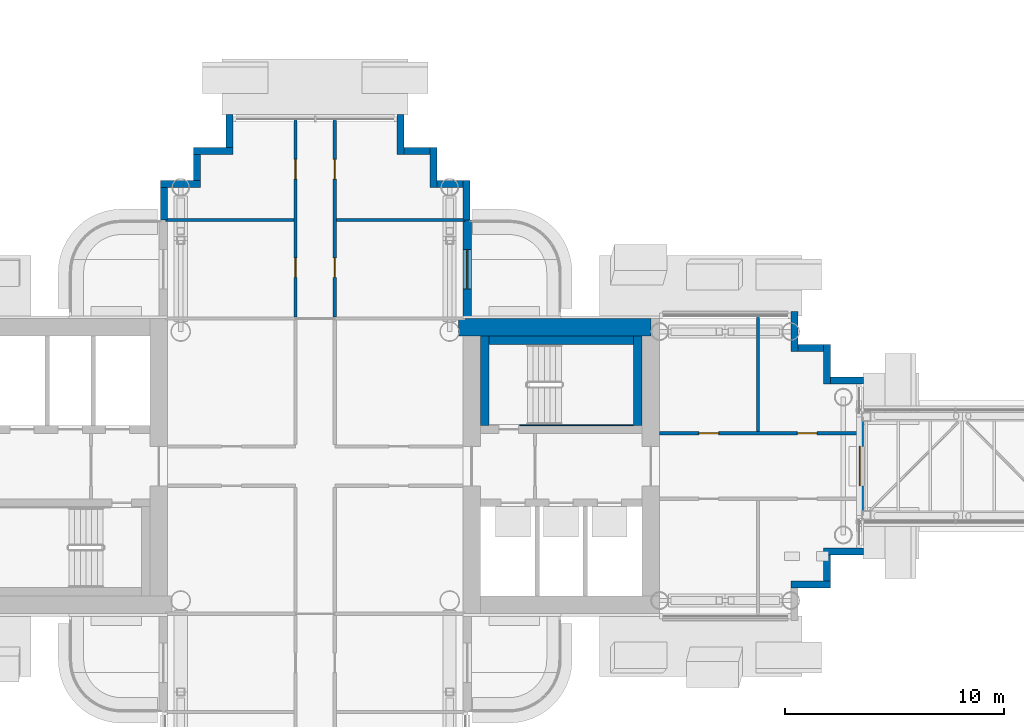
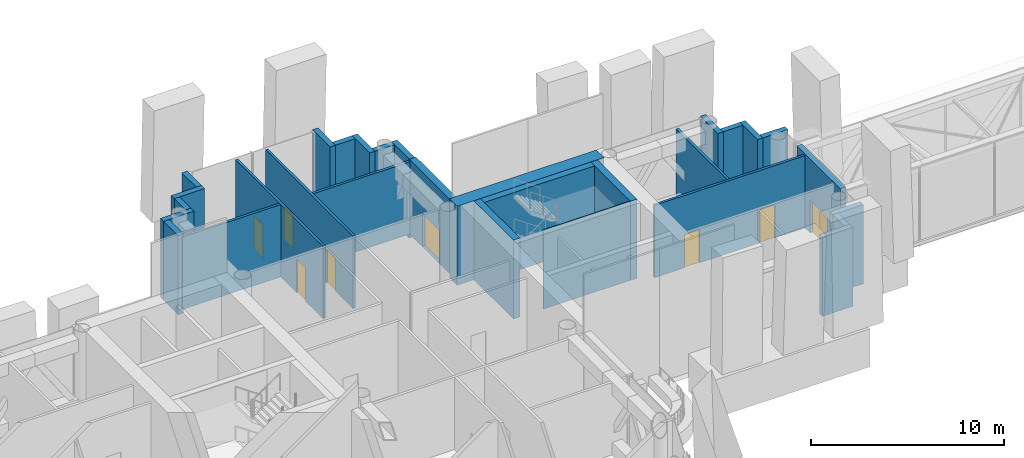
# One storey, part 14 of 34: 30 walls, 8 doors, 8 openings.
"""IFC4 building model written with IfcOpenShell, lengths in metres."""

import ifcopenshell
import ifcopenshell.guid

model = None  # the IFC model being written
_history = None  # IfcOwnerHistory: only IFC2X3 demands one
_inside = {}  # id of a spatial element -> (the spatial element, [elements in it])
_under = {}  # id of a project, library or spatial element -> (it, [spatial elements below it])
_declared = {}  # id of a project -> (the project, [libraries it declares])
_typed = {}  # id of a type object -> (the type object, [elements of that type])
_made_of = {}  # id of a material, layer set ... -> (it, [elements and type objects made of it])


def new_model(schema):
    """Start an empty IFC model of exactly this schema.

    Asked for "IFC4X3", IfcOpenShell would pick the latest addendum, in which some entities
    have other attributes; the version numbers below select the first issue.
    IFC2X3 requires an IfcOwnerHistory on every rooted entity: one is made here for all.
    """
    global model, _history
    if schema == "IFC4X3":
        model = ifcopenshell.file(schema_version=(4, 3, 0, 0))
    else:
        model = ifcopenshell.file(schema=schema)
    _inside.clear()
    _under.clear()
    _declared.clear()
    _typed.clear()
    _made_of.clear()
    _history = None
    if model.schema == "IFC2X3":
        org = make("IfcOrganization", Name="unknown")
        user = make(
            "IfcPersonAndOrganization",
            ThePerson=make("IfcPerson", FamilyName="unknown"),
            TheOrganization=org,
        )
        app = make(
            "IfcApplication",
            ApplicationDeveloper=org,
            Version="unknown",
            ApplicationFullName="unknown",
            ApplicationIdentifier="unknown",
        )
        _history = make(
            "IfcOwnerHistory",
            OwningUser=user,
            OwningApplication=app,
            ChangeAction="ADDED",
            CreationDate=0,
        )
    return model


def make(cls, **values):
    """One entity of the class cls with the attributes given. An attribute that is None is left unset."""
    return model.create_entity(
        cls, **{name: value for name, value in values.items() if value is not None}
    )


def rooted(cls, **values):
    """An entity with a GlobalId (a new one), such as an element, a storey or a relation."""
    return make(cls, GlobalId=ifcopenshell.guid.new(), OwnerHistory=_history, **values)


def si_unit(unit_type, name, prefix=None):
    """IfcSIUnit, for example si_unit("LENGTHUNIT", "METRE", prefix="MILLI")."""
    return make("IfcSIUnit", UnitType=unit_type, Prefix=prefix, Name=name)


def assignment(units):
    """IfcUnitAssignment: the units of a project."""
    return None if units is None else make("IfcUnitAssignment", Units=units)


def point(xyz):
    """IfcCartesianPoint."""
    return None if xyz is None else make("IfcCartesianPoint", Coordinates=xyz)


def direction(xyz):
    """IfcDirection."""
    return None if xyz is None else make("IfcDirection", DirectionRatios=xyz)


def frame(location, z_axis=None, x_axis=None):
    """IfcAxis2Placement3D, a coordinate frame: its origin and axes. An axis left out is left unset."""
    return make(
        "IfcAxis2Placement3D",
        Location=point(location),
        Axis=direction(z_axis),
        RefDirection=direction(x_axis),
    )


def frame_2d(location, x_axis=None):
    """IfcAxis2Placement2D, a coordinate frame in the plane: its origin and x axis."""
    return make(
        "IfcAxis2Placement2D", Location=point(location), RefDirection=direction(x_axis)
    )


def origin():
    """The frame at (0, 0, 0) with its axes left unset."""
    return frame((0.0, 0.0, 0.0))


def place(relative_to, where):
    """IfcLocalPlacement: puts the frame where relative to a parent placement (None: the world)."""
    return make(
        "IfcLocalPlacement", PlacementRelTo=relative_to, RelativePlacement=where
    )


def context(
    kind, dimensions, precision=None, world=None, true_north=None, identifier=None
):
    """IfcGeometricRepresentationContext, for example the 3D "Model" context."""
    return make(
        "IfcGeometricRepresentationContext",
        ContextIdentifier=identifier,
        ContextType=kind,
        CoordinateSpaceDimension=dimensions,
        Precision=precision,
        WorldCoordinateSystem=world,
        TrueNorth=true_north,
    )


def subcontext(parent, identifier, kind, view, scale=None):
    """IfcGeometricRepresentationSubContext, for example "Body" below "Model"."""
    return make(
        "IfcGeometricRepresentationSubContext",
        ContextIdentifier=identifier,
        ContextType=kind,
        ParentContext=parent,
        TargetScale=scale,
        TargetView=view,
    )


def project(units=None, contexts=None):
    """IfcProject with its units and contexts."""
    return rooted(
        "IfcProject",
        Name="project",
        RepresentationContexts=contexts,
        UnitsInContext=assignment(units),
    )


def spatial(cls, under=None, at=None, **own):
    """A site, building, storey or space (cls), placed at a placement, below another one or the project."""
    s = rooted(cls, ObjectPlacement=at, **own)
    if under is not None:
        _under.setdefault(under.id(), (under, []))[1].append(s)
    return s


def profile(cls, at=None, kind="AREA", **sizes):
    """A parametric profile (cls). Its sizes go by their IFC names, for example OverallWidth=200.0."""
    return make(cls, ProfileType=kind, Position=at, **sizes)


def rectangle(**sizes):
    """IfcRectangleProfileDef."""
    return profile("IfcRectangleProfileDef", **sizes)


def extrude(swept, where, along, depth):
    """IfcExtrudedAreaSolid: the profile swept, set in the frame where, extruded along a direction by depth."""
    return make(
        "IfcExtrudedAreaSolid",
        SweptArea=swept,
        Position=where,
        ExtrudedDirection=direction(along),
        Depth=depth,
    )


def shape(context_of_items, identifier, shape_type, items):
    """IfcShapeRepresentation: the items that make up one representation, for example the "Body"."""
    return make(
        "IfcShapeRepresentation",
        ContextOfItems=context_of_items,
        RepresentationIdentifier=identifier,
        RepresentationType=shape_type,
        Items=items,
    )


def material(Name=None, Category=None):
    """IfcMaterial."""
    return make("IfcMaterial", Name=Name, Category=Category)


def layer(
    of_material, thickness, ventilated=None, Name=None, Category=None, Priority=None
):
    """IfcMaterialLayer: one layer of a wall or slab, of a material (None: an air gap)."""
    return make(
        "IfcMaterialLayer",
        Material=of_material,
        LayerThickness=thickness,
        IsVentilated=ventilated,
        Name=Name,
        Category=Category,
        Priority=Priority,
    )


def layer_set(layers, Name=None):
    """IfcMaterialLayerSet."""
    return make("IfcMaterialLayerSet", MaterialLayers=layers, LayerSetName=Name)


def made_of(thing, what):
    """Note that an element or type object is made of a material, layer set ...; save() writes the relation."""
    if what is not None:
        _made_of.setdefault(what.id(), (what, []))[1].append(thing)
    return thing


def type_object(cls, material=None, **own):
    """A type object (cls), such as IfcWallType, which elements share."""
    return made_of(rooted(cls, **own), material)


def element(
    cls,
    number,
    at=None,
    inside=None,
    cuts=None,
    type_object=None,
    material=None,
    context=None,
    identifier="Body",
    shape_type=None,
    held_by="IfcProductDefinitionShape",
    body=None,
    shapes=None,
    **own,
):
    """One element of the class cls, such as IfcWall. Its Tag is "e" and its number.

    at: its placement. inside: the storey or other place that contains it. cuts: it is an
    opening in that element (IfcRelVoidsElement). A single representation is given by context,
    identifier, shape_type and body (its items); several are given by shapes. held_by: the class
    of the entity that holds the representations. save() writes the other relations.
    """
    e = rooted(cls, Tag="e%d" % number, ObjectPlacement=at, **own)
    if body is not None:
        shapes = [shape(context, identifier, shape_type, body)]
    if shapes is not None:
        e.Representation = make(held_by, Representations=shapes)
    if inside is not None:
        _inside.setdefault(inside.id(), (inside, []))[1].append(e)
    if cuts is not None:
        rooted(
            "IfcRelVoidsElement", RelatingBuildingElement=cuts, RelatedOpeningElement=e
        )
    if type_object is not None:
        _typed.setdefault(type_object.id(), (type_object, []))[1].append(e)
    return made_of(e, material)


def fill(opening, filler):
    """IfcRelFillsElement: the door or window that sits in an opening."""
    return rooted(
        "IfcRelFillsElement",
        RelatingOpeningElement=opening,
        RelatedBuildingElement=filler,
    )


def aggregate(whole, parts):
    """IfcRelAggregates: a whole, such as a stair, and the parts it consists of."""
    return rooted("IfcRelAggregates", RelatingObject=whole, RelatedObjects=parts)


def save(model, path):
    """Write the relations noted so far, then the file.

    IfcRelAggregates (storeys below a building ...), IfcRelContainedInSpatialStructure (elements
    in a storey), IfcRelDefinesByType, IfcRelAssociatesMaterial and IfcRelDeclares: one each for
    every whole, place, type object, material and project.
    """
    for whole, parts in _under.values():
        aggregate(whole, parts)
    for where, things in _inside.values():
        rooted(
            "IfcRelContainedInSpatialStructure",
            RelatedElements=things,
            RelatingStructure=where,
        )
    for kind, things in _typed.values():
        rooted("IfcRelDefinesByType", RelatedObjects=things, RelatingType=kind)
    for what, things in _made_of.values():
        rooted("IfcRelAssociatesMaterial", RelatedObjects=things, RelatingMaterial=what)
    for by, libraries in _declared.values():
        rooted("IfcRelDeclares", RelatingContext=by, RelatedDefinitions=libraries)
    model.write(path)


model = new_model("IFC4")

# Units and contexts
model_context = context("Model", 3, precision=1e-05, world=origin(), true_north=direction((0.0, 1.0)))
body_context = subcontext(model_context, "Body", "Model", "MODEL_VIEW")
ifc_project = project(units=[si_unit("LENGTHUNIT", "METRE"), si_unit("AREAUNIT", "SQUARE_METRE"), si_unit("VOLUMEUNIT", "CUBIC_METRE"), si_unit("PLANEANGLEUNIT", "RADIAN"), si_unit("MASSUNIT", "GRAM", prefix="KILO")], contexts=[model_context])

# Site, building, storey
site_placement = place(None, origin())
site = spatial("IfcSite", under=ifc_project, at=site_placement, CompositionType="ELEMENT")
building_placement = place(site_placement, origin())
building = spatial("IfcBuilding", under=site, at=building_placement, Name="Ipe Terrace Towers", CompositionType="ELEMENT")
storey_placement = place(building_placement, frame((0.0, 0.0, 128.699951171875)))
storey = spatial("IfcBuildingStorey", under=building, at=storey_placement, Name="L35", CompositionType="ELEMENT", Elevation=128.699951171875)

# Wall, opening, door
ifc_material_1 = material(Name="Concrete C40/50 with buff precast cladding", Category="concrete")
ifc_layer_1 = layer(ifc_material_1, 0.39990234375)
ifc_layer_set_1 = layer_set([ifc_layer_1], Name="BALCONY BAY WALL 400")
wall_type_1 = type_object("IfcWallType", Name="BALCONY BAY WALL 400", PredefinedType="STANDARD", material=ifc_layer_set_1)
wall_1_placement = place(storey_placement, frame((-29.050048828125, 6.75, -0.02001953125), z_axis=(0.0, 0.0, 1.0), x_axis=(0.0, 1.0, 0.0)))
wall_1 = element("IfcWall", 1, at=wall_1_placement, inside=storey, type_object=wall_type_1, Name="T1-W-L35-32a wall", PredefinedType="STANDARD", context=body_context, shape_type="SweptSolid", body=[
    extrude(rectangle(XDim=4.5, YDim=0.39990234375, at=frame_2d((2.25, 0.0))), origin(), (0.0, 0.0, 1.0), 4.719970703125),
])
opening_1_placement = place(wall_1_placement, frame((1.35009765625, 0.0, 0.02001953125)))
opening_1 = element("IfcOpeningElement", 2, at=opening_1_placement, cuts=wall_1, Name="Opening T1-D-L35-32", PredefinedType="OPENING", context=body_context, shape_type="SweptSolid", body=[
    extrude(rectangle(XDim=1.800048828125, YDim=2.10009765625, at=frame_2d((0.89990234375, 1.050048828125))), frame((0.0, 0.2099609375, 0.0), z_axis=(0.0, -1.0, 0.0), x_axis=(1.0, 0.0, 0.0)), (0.0, 0.0, 1.0), 0.419921875),
])
ifc_material_2 = material(Name="Aluminium alloy 6063-T6 framed glazed door", Category="aluminium")
door_type_1 = type_object("IfcDoorType", Name="BALCONY DOOR 1800 x 2100 LEFT", OperationType="SINGLE_SWING_LEFT", PredefinedType="DOOR", material=ifc_material_2)
door_1_placement = place(opening_1_placement, origin())
door_1 = element("IfcDoor", 3, at=door_1_placement, inside=storey, type_object=door_type_1, Name="DB1 door", OperationType="SINGLE_SWING_LEFT", OverallHeight=2.10009765625, OverallWidth=1.800048828125, PredefinedType="DOOR", context=body_context, shape_type="SweptSolid", body=[
    extrude(rectangle(XDim=1.800048828125, YDim=2.10009765625, at=frame_2d((0.89990234375, 1.050048828125))), frame((0.0, 0.02490234375, 0.0), z_axis=(0.0, -1.0, 0.0), x_axis=(1.0, 0.0, 0.0)), (0.0, 0.0, 1.0), 0.050048828125),
])
fill(opening_1, door_1)

# Walls
ifc_material_3 = material(Name="Concrete C40/50 with buff precast cladding", Category="concrete")
ifc_layer_2 = layer(ifc_material_3, 0.320068359375)
ifc_layer_set_2 = layer_set([ifc_layer_2], Name="BUFF CLADDING WALL 320")
wall_type_2 = type_object("IfcWallType", Name="BUFF CLADDING WALL 320", PredefinedType="STANDARD", material=ifc_layer_set_2)
wall_2_placement = place(storey_placement, frame((-14.25, -5.409912109375, -0.300048828125), z_axis=(0.0, 0.0, 1.0), x_axis=(1.0, 0.0, 0.0)))
element("IfcWall", 4, at=wall_2_placement, inside=storey, type_object=wall_type_2, Name="T1-W-L35-22a wall", PredefinedType="STANDARD", context=body_context, shape_type="SweptSolid", body=[
    extrude(rectangle(XDim=1.820068359375, YDim=0.320068359375, at=frame_2d((0.91015625, 0.0))), origin(), (0.0, 0.0, 1.0), 5.0),
])
wall_3_placement = place(storey_placement, frame((-12.590087890625, -5.25, -0.300048828125), z_axis=(0.0, 0.0, 1.0), x_axis=(0.0, 1.0, 0.0)))
element("IfcWall", 5, at=wall_3_placement, inside=storey, type_object=wall_type_2, Name="T1-W-L35-23a wall", PredefinedType="STANDARD", context=body_context, shape_type="SweptSolid", body=[
    extrude(rectangle(XDim=1.179931640625, YDim=0.320068359375, at=frame_2d((0.58984375, 0.0))), origin(), (0.0, 0.0, 1.0), 5.0),
])
wall_4_placement = place(storey_placement, frame((-12.75, -3.909912109375, -0.300048828125), z_axis=(0.0, 0.0, 1.0), x_axis=(1.0, 0.0, 0.0)))
element("IfcWall", 6, at=wall_4_placement, inside=storey, type_object=wall_type_2, Name="T1-W-L35-24a wall", PredefinedType="STANDARD", context=body_context, shape_type="SweptSolid", body=[
    extrude(rectangle(XDim=1.820068359375, YDim=0.320068359375, at=frame_2d((0.91015625, 0.0))), origin(), (0.0, 0.0, 1.0), 5.0),
])

# Wall, opening, door
wall_5_placement = place(storey_placement, frame((-11.090087890625, -2.25, 0.0), z_axis=(0.0, 0.0, 1.0), x_axis=(0.0, 1.0, 0.0)))
wall_5 = element("IfcWall", 7, at=wall_5_placement, inside=storey, type_object=wall_type_2, Name="T1-W-L35-25b wall", PredefinedType="STANDARD", context=body_context, shape_type="SweptSolid", body=[
    extrude(rectangle(XDim=4.5, YDim=0.320068359375, at=frame_2d((2.25, 0.0))), origin(), (0.0, 0.0, 1.0), 4.699951171875),
])
opening_2_placement = place(wall_5_placement, frame((1.35009765625, 0.0, 0.0)))
opening_2 = element("IfcOpeningElement", 8, at=opening_2_placement, cuts=wall_5, Name="Opening T1-D-L35-25", PredefinedType="OPENING", context=body_context, shape_type="SweptSolid", body=[
    extrude(rectangle(XDim=1.800048828125, YDim=2.10009765625, at=frame_2d((0.89990234375, 1.050048828125))), frame((0.0, 0.169921875, 0.0), z_axis=(0.0, -1.0, 0.0), x_axis=(1.0, 0.0, 0.0)), (0.0, 0.0, 1.0), 0.340087890625),
])
ifc_material_4 = material(Name="Steel S235 fire door", Category="steel")
door_type_2 = type_object("IfcDoorType", Name="BRIDGE FIRE DOOR 1800 x 2100", OperationType="DOUBLE_DOOR_SINGLE_SWING", PredefinedType="DOOR", material=ifc_material_4)
door_2_placement = place(opening_2_placement, origin())
door_2 = element("IfcDoor", 9, at=door_2_placement, inside=storey, type_object=door_type_2, Name="DF1 door", OperationType="DOUBLE_DOOR_SINGLE_SWING", OverallHeight=2.10009765625, OverallWidth=1.800048828125, PredefinedType="DOOR", context=body_context, shape_type="SweptSolid", body=[
    extrude(rectangle(XDim=1.800048828125, YDim=2.10009765625, at=frame_2d((0.89990234375, 1.050048828125))), frame((0.0, 0.02490234375, 0.0), z_axis=(0.0, -1.0, 0.0), x_axis=(1.0, 0.0, 0.0)), (0.0, 0.0, 1.0), 0.050048828125),
])
fill(opening_2, door_2)

# Walls
wall_6_placement = place(storey_placement, frame((-10.929931640625, 3.909912109375, -0.300048828125), z_axis=(0.0, 0.0, 1.0), x_axis=(-1.0, 0.0, 0.0)))
element("IfcWall", 10, at=wall_6_placement, inside=storey, type_object=wall_type_2, Name="T1-W-L35-26a wall", PredefinedType="STANDARD", context=body_context, shape_type="SweptSolid", body=[
    extrude(rectangle(XDim=1.5, YDim=0.320068359375, at=frame_2d((0.75, 0.0))), origin(), (0.0, 0.0, 1.0), 5.0),
])
wall_7_placement = place(storey_placement, frame((-12.590087890625, 3.75, -0.300048828125), z_axis=(0.0, 0.0, 1.0), x_axis=(0.0, 1.0, 0.0)))
element("IfcWall", 11, at=wall_7_placement, inside=storey, type_object=wall_type_2, Name="T1-W-L35-27a wall", PredefinedType="STANDARD", context=body_context, shape_type="SweptSolid", body=[
    extrude(rectangle(XDim=1.820068359375, YDim=0.320068359375, at=frame_2d((0.91015625, 0.0))), origin(), (0.0, 0.0, 1.0), 5.0),
])
wall_8_placement = place(storey_placement, frame((-12.75, 5.409912109375, -0.300048828125), z_axis=(0.0, 0.0, 1.0), x_axis=(-1.0, 0.0, 0.0)))
element("IfcWall", 12, at=wall_8_placement, inside=storey, type_object=wall_type_2, Name="T1-W-L35-28a wall", PredefinedType="STANDARD", context=body_context, shape_type="SweptSolid", body=[
    extrude(rectangle(XDim=1.179931640625, YDim=0.320068359375, at=frame_2d((0.58984375, 0.0))), origin(), (0.0, 0.0, 1.0), 5.0),
])
for number, where, z_axis, x_axis, name in (
    (13, (-14.090087890625, 5.25, -0.300048828125), (0.0, 0.0, 1.0), (0.0, 1.0, 0.0), "T1-W-L35-29a wall"),
    (14, (-29.090087890625, 11.25, -0.300048828125), (0.0, 0.0, 1.0), (0.0, 1.0, 0.0), "T1-W-L35-33a wall"),
):
    element("IfcWall", number, at=place(storey_placement, frame(where, z_axis=z_axis, x_axis=x_axis)), inside=storey, type_object=wall_type_2, Name=name, PredefinedType="STANDARD", context=body_context, shape_type="SweptSolid", body=[
        extrude(rectangle(XDim=1.820068359375, YDim=0.320068359375, at=frame_2d((0.91015625, 0.0))), origin(), (0.0, 0.0, 1.0), 5.0),
    ])
wall_9_placement = place(storey_placement, frame((-29.25, 12.909912109375, -0.300048828125), z_axis=(0.0, 0.0, 1.0), x_axis=(-1.0, 0.0, 0.0)))
element("IfcWall", 15, at=wall_9_placement, inside=storey, type_object=wall_type_2, Name="T1-W-L35-34a wall", PredefinedType="STANDARD", context=body_context, shape_type="SweptSolid", body=[
    extrude(rectangle(XDim=1.179931640625, YDim=0.320068359375, at=frame_2d((0.58984375, 0.0))), origin(), (0.0, 0.0, 1.0), 5.0),
])
wall_10_placement = place(storey_placement, frame((-30.590087890625, 12.75, -0.300048828125), z_axis=(0.0, 0.0, 1.0), x_axis=(0.0, 1.0, 0.0)))
element("IfcWall", 16, at=wall_10_placement, inside=storey, type_object=wall_type_2, Name="T1-W-L35-35a wall", PredefinedType="STANDARD", context=body_context, shape_type="SweptSolid", body=[
    extrude(rectangle(XDim=1.820068359375, YDim=0.320068359375, at=frame_2d((0.91015625, 0.0))), origin(), (0.0, 0.0, 1.0), 5.0),
])
wall_11_placement = place(storey_placement, frame((-30.75, 14.409912109375, -0.300048828125), z_axis=(0.0, 0.0, 1.0), x_axis=(-1.0, 0.0, 0.0)))
element("IfcWall", 17, at=wall_11_placement, inside=storey, type_object=wall_type_2, Name="T1-W-L35-36a wall", PredefinedType="STANDARD", context=body_context, shape_type="SweptSolid", body=[
    extrude(rectangle(XDim=1.179931640625, YDim=0.320068359375, at=frame_2d((0.58984375, 0.0))), origin(), (0.0, 0.0, 1.0), 5.0),
])
wall_12_placement = place(storey_placement, frame((-32.090087890625, 14.25, -0.300048828125), z_axis=(0.0, 0.0, 1.0), x_axis=(0.0, 1.0, 0.0)))
element("IfcWall", 18, at=wall_12_placement, inside=storey, type_object=wall_type_2, Name="T1-W-L35-37a wall", PredefinedType="STANDARD", context=body_context, shape_type="SweptSolid", body=[
    extrude(rectangle(XDim=1.820068359375, YDim=0.320068359375, at=frame_2d((0.91015625, 0.0))), origin(), (0.0, 0.0, 1.0), 5.0),
])
wall_13_placement = place(storey_placement, frame((-39.909912109375, 16.070068359375, -0.300048828125), z_axis=(0.0, 0.0, 1.0), x_axis=(0.0, -1.0, 0.0)))
element("IfcWall", 19, at=wall_13_placement, inside=storey, type_object=wall_type_2, Name="T1-W-L35-39a wall", PredefinedType="STANDARD", context=body_context, shape_type="SweptSolid", body=[
    extrude(rectangle(XDim=1.5, YDim=0.320068359375, at=frame_2d((0.75, 0.0))), origin(), (0.0, 0.0, 1.0), 5.0),
])
wall_14_placement = place(storey_placement, frame((-39.75, 14.409912109375, -0.300048828125), z_axis=(0.0, 0.0, 1.0), x_axis=(-1.0, 0.0, 0.0)))
element("IfcWall", 20, at=wall_14_placement, inside=storey, type_object=wall_type_2, Name="T1-W-L35-40a wall", PredefinedType="STANDARD", context=body_context, shape_type="SweptSolid", body=[
    extrude(rectangle(XDim=1.820068359375, YDim=0.320068359375, at=frame_2d((0.91015625, 0.0))), origin(), (0.0, 0.0, 1.0), 5.0),
])
wall_15_placement = place(storey_placement, frame((-41.409912109375, 14.25, -0.300048828125), z_axis=(0.0, 0.0, 1.0), x_axis=(0.0, -1.0, 0.0)))
element("IfcWall", 21, at=wall_15_placement, inside=storey, type_object=wall_type_2, Name="T1-W-L35-41a wall", PredefinedType="STANDARD", context=body_context, shape_type="SweptSolid", body=[
    extrude(rectangle(XDim=1.179931640625, YDim=0.320068359375, at=frame_2d((0.58984375, 0.0))), origin(), (0.0, 0.0, 1.0), 5.0),
])
wall_16_placement = place(storey_placement, frame((-41.25, 12.909912109375, -0.300048828125), z_axis=(0.0, 0.0, 1.0), x_axis=(-1.0, 0.0, 0.0)))
element("IfcWall", 22, at=wall_16_placement, inside=storey, type_object=wall_type_2, Name="T1-W-L35-42a wall", PredefinedType="STANDARD", context=body_context, shape_type="SweptSolid", body=[
    extrude(rectangle(XDim=1.820068359375, YDim=0.320068359375, at=frame_2d((0.91015625, 0.0))), origin(), (0.0, 0.0, 1.0), 5.0),
])
wall_17_placement = place(storey_placement, frame((-42.909912109375, 12.75, -0.300048828125), z_axis=(0.0, 0.0, 1.0), x_axis=(0.0, -1.0, 0.0)))
element("IfcWall", 23, at=wall_17_placement, inside=storey, type_object=wall_type_2, Name="T1-W-L35-43a wall", PredefinedType="STANDARD", context=body_context, shape_type="SweptSolid", body=[
    extrude(rectangle(XDim=1.5, YDim=0.320068359375, at=frame_2d((0.75, 0.0))), origin(), (0.0, 0.0, 1.0), 5.0),
])

# Wall, openings, doors
ifc_material_5 = material(Name="Gypsum board partition", Category="plasterboard")
ifc_layer_3 = layer(ifc_material_5, 0.14990234375)
ifc_layer_set_3 = layer_set([ifc_layer_3], Name="Gypsum board partition 150 mm")
wall_type_3 = type_object("IfcWallType", Name="Gypsum board partition 150 mm", PredefinedType="PARTITIONING", material=ifc_layer_set_3)
wall_18_placement = place(storey_placement, frame((-20.25, 1.5, 0.0), z_axis=(0.0, 0.0, 1.0), x_axis=(1.0, 0.0, 0.0)))
wall_18 = element("IfcWall", 24, at=wall_18_placement, inside=storey, type_object=wall_type_3, Name="Gypsum board partition T1 L35 sp-Lp-wp", PredefinedType="PARTITIONING", context=body_context, shape_type="SweptSolid", body=[
    extrude(rectangle(XDim=9.10009765625, YDim=0.14990234375, at=frame_2d((4.550048828125, 0.0))), origin(), (0.0, 0.0, 1.0), 4.580078125),
])
opening_3_placement = place(wall_18_placement, frame((1.800048828125, 0.0, 0.0)))
opening_3 = element("IfcOpeningElement", 25, at=opening_3_placement, cuts=wall_18, Name="Opening T1-SP-PLp1", PredefinedType="OPENING", context=body_context, shape_type="SweptSolid", body=[
    extrude(rectangle(XDim=0.89990234375, YDim=2.10009765625, at=frame_2d((0.449951171875, 1.050048828125))), frame((0.0, 0.0849609375, 0.0), z_axis=(0.0, -1.0, 0.0), x_axis=(1.0, 0.0, 0.0)), (0.0, 0.0, 1.0), 0.169921875),
])
opening_4_placement = place(wall_18_placement, frame((6.300048828125, 0.0, 0.0)))
opening_4 = element("IfcOpeningElement", 26, at=opening_4_placement, cuts=wall_18, Name="Opening T1-SP-PLp2", PredefinedType="OPENING", context=body_context, shape_type="SweptSolid", body=[
    extrude(rectangle(XDim=0.89990234375, YDim=2.10009765625, at=frame_2d((0.449951171875, 1.050048828125))), frame((0.0, 0.0849609375, 0.0), z_axis=(0.0, -1.0, 0.0), x_axis=(1.0, 0.0, 0.0)), (0.0, 0.0, 1.0), 0.169921875),
])
ifc_material_6 = material(Name="Fire-rated timber door leaf", Category="wood")
door_type_3 = type_object("IfcDoorType", Name="Lounge door 900 x 2100 FD30S", OperationType="NOTDEFINED", PredefinedType="DOOR", material=ifc_material_6)
door_3_placement = place(opening_3_placement, origin())
door_3 = element("IfcDoor", 27, at=door_3_placement, inside=storey, type_object=door_type_3, Name="Lounge door T1-SP-PLp1", OperationType="SINGLE_SWING_RIGHT", OverallHeight=2.10009765625, OverallWidth=0.89990234375, PredefinedType="DOOR", context=body_context, shape_type="SweptSolid", body=[
    extrude(rectangle(XDim=0.89990234375, YDim=2.10009765625, at=frame_2d((0.449951171875, 1.050048828125))), frame((0.0, 0.02490234375, 0.0), z_axis=(0.0, -1.0, 0.0), x_axis=(1.0, 0.0, 0.0)), (0.0, 0.0, 1.0), 0.050048828125),
])
fill(opening_3, door_3)
door_4_placement = place(opening_4_placement, origin())
door_4 = element("IfcDoor", 28, at=door_4_placement, inside=storey, type_object=door_type_3, Name="Lounge door T1-SP-PLp2", OperationType="SINGLE_SWING_LEFT", OverallHeight=2.10009765625, OverallWidth=0.89990234375, PredefinedType="DOOR", context=body_context, shape_type="SweptSolid", body=[
    extrude(rectangle(XDim=0.89990234375, YDim=2.10009765625, at=frame_2d((0.449951171875, 1.050048828125))), frame((0.0, 0.02490234375, 0.0), z_axis=(0.0, -1.0, 0.0), x_axis=(1.0, 0.0, 0.0)), (0.0, 0.0, 1.0), 0.050048828125),
])
fill(opening_4, door_4)

# Wall
wall_19_placement = place(storey_placement, frame((-15.75, 1.574951171875, 0.0), z_axis=(0.0, 0.0, 1.0), x_axis=(0.0, 1.0, 0.0)))
element("IfcWall", 29, at=wall_19_placement, inside=storey, type_object=wall_type_3, Name="Gypsum board partition T1 L35 sp-Lp-dp1", PredefinedType="PARTITIONING", context=body_context, shape_type="SweptSolid", body=[
    extrude(rectangle(XDim=5.275146484375, YDim=0.14990234375, at=frame_2d((2.6376953125, 0.0))), origin(), (0.0, 0.0, 1.0), 4.580078125),
])

# Wall, openings, doors
wall_20_placement = place(storey_placement, frame((-35.10009765625, 6.824951171875, 0.0), z_axis=(0.0, 0.0, 1.0), x_axis=(0.0, 1.0, 0.0)))
wall_20 = element("IfcWall", 30, at=wall_20_placement, inside=storey, type_object=wall_type_3, Name="Gypsum board partition T1 L35 sp-Sp-wp", PredefinedType="PARTITIONING", context=body_context, shape_type="SweptSolid", body=[
    extrude(rectangle(XDim=9.025146484375, YDim=0.14990234375, at=frame_2d((4.5126953125, 0.0))), origin(), (0.0, 0.0, 1.0), 4.580078125),
])
opening_5_placement = place(wall_20_placement, frame((1.800048828125, 0.0, 0.0)))
opening_5 = element("IfcOpeningElement", 31, at=opening_5_placement, cuts=wall_20, Name="Opening T1-SP-PSp1", PredefinedType="OPENING", context=body_context, shape_type="SweptSolid", body=[
    extrude(rectangle(XDim=0.89990234375, YDim=2.10009765625, at=frame_2d((0.449951171875, 1.050048828125))), frame((0.0, 0.0849609375, 0.0), z_axis=(0.0, -1.0, 0.0), x_axis=(1.0, 0.0, 0.0)), (0.0, 0.0, 1.0), 0.169921875),
])
opening_6_placement = place(wall_20_placement, frame((6.300048828125, 0.0, 0.0)))
opening_6 = element("IfcOpeningElement", 32, at=opening_6_placement, cuts=wall_20, Name="Opening T1-SP-PSp2", PredefinedType="OPENING", context=body_context, shape_type="SweptSolid", body=[
    extrude(rectangle(XDim=0.89990234375, YDim=2.10009765625, at=frame_2d((0.449951171875, 1.050048828125))), frame((0.0, 0.0849609375, 0.0), z_axis=(0.0, -1.0, 0.0), x_axis=(1.0, 0.0, 0.0)), (0.0, 0.0, 1.0), 0.169921875),
])
door_5_placement = place(opening_5_placement, origin())
door_5 = element("IfcDoor", 33, at=door_5_placement, inside=storey, type_object=door_type_3, Name="Lounge door T1-SP-PSp1", OperationType="SINGLE_SWING_LEFT", OverallHeight=2.10009765625, OverallWidth=0.89990234375, PredefinedType="DOOR", context=body_context, shape_type="SweptSolid", body=[
    extrude(rectangle(XDim=0.89990234375, YDim=2.10009765625, at=frame_2d((0.449951171875, 1.050048828125))), frame((0.0, 0.02490234375, 0.0), z_axis=(0.0, -1.0, 0.0), x_axis=(1.0, 0.0, 0.0)), (0.0, 0.0, 1.0), 0.050048828125),
])
fill(opening_5, door_5)
door_6_placement = place(opening_6_placement, origin())
door_6 = element("IfcDoor", 34, at=door_6_placement, inside=storey, type_object=door_type_3, Name="Lounge door T1-SP-PSp2", OperationType="SINGLE_SWING_RIGHT", OverallHeight=2.10009765625, OverallWidth=0.89990234375, PredefinedType="DOOR", context=body_context, shape_type="SweptSolid", body=[
    extrude(rectangle(XDim=0.89990234375, YDim=2.10009765625, at=frame_2d((0.449951171875, 1.050048828125))), frame((0.0, 0.02490234375, 0.0), z_axis=(0.0, -1.0, 0.0), x_axis=(1.0, 0.0, 0.0)), (0.0, 0.0, 1.0), 0.050048828125),
])
fill(opening_6, door_6)

# Wall
wall_21_placement = place(storey_placement, frame((-35.02490234375, 11.25, 0.0), z_axis=(0.0, 0.0, 1.0), x_axis=(1.0, 0.0, 0.0)))
element("IfcWall", 35, at=wall_21_placement, inside=storey, type_object=wall_type_3, Name="Gypsum board partition T1 L35 sp-Sp-dp1", PredefinedType="PARTITIONING", context=body_context, shape_type="SweptSolid", body=[
    extrude(rectangle(XDim=5.875, YDim=0.14990234375, at=frame_2d((2.9375, 0.0))), origin(), (0.0, 0.0, 1.0), 4.580078125),
])

# Wall, openings, doors
wall_22_placement = place(storey_placement, frame((-36.89990234375, 6.824951171875, 0.0), z_axis=(0.0, 0.0, 1.0), x_axis=(0.0, 1.0, 0.0)))
wall_22 = element("IfcWall", 36, at=wall_22_placement, inside=storey, type_object=wall_type_3, Name="Gypsum board partition T1 L35 sp-Sp-wm", PredefinedType="PARTITIONING", context=body_context, shape_type="SweptSolid", body=[
    extrude(rectangle(XDim=9.025146484375, YDim=0.14990234375, at=frame_2d((4.5126953125, 0.0))), origin(), (0.0, 0.0, 1.0), 4.580078125),
])
opening_7_placement = place(wall_22_placement, frame((1.800048828125, 0.0, 0.0)))
opening_7 = element("IfcOpeningElement", 37, at=opening_7_placement, cuts=wall_22, Name="Opening T1-SP-MSp1", PredefinedType="OPENING", context=body_context, shape_type="SweptSolid", body=[
    extrude(rectangle(XDim=0.89990234375, YDim=2.10009765625, at=frame_2d((0.449951171875, 1.050048828125))), frame((0.0, 0.0849609375, 0.0), z_axis=(0.0, -1.0, 0.0), x_axis=(1.0, 0.0, 0.0)), (0.0, 0.0, 1.0), 0.169921875),
])
opening_8_placement = place(wall_22_placement, frame((6.300048828125, 0.0, 0.0)))
opening_8 = element("IfcOpeningElement", 38, at=opening_8_placement, cuts=wall_22, Name="Opening T1-SP-MSp2-FD30S", PredefinedType="OPENING", context=body_context, shape_type="SweptSolid", body=[
    extrude(rectangle(XDim=0.89990234375, YDim=2.10009765625, at=frame_2d((0.449951171875, 1.050048828125))), frame((0.0, 0.0849609375, 0.0), z_axis=(0.0, -1.0, 0.0), x_axis=(1.0, 0.0, 0.0)), (0.0, 0.0, 1.0), 0.169921875),
])
door_7_placement = place(opening_7_placement, origin())
door_7 = element("IfcDoor", 39, at=door_7_placement, inside=storey, type_object=door_type_3, Name="Lounge door T1-SP-MSp1", OperationType="SINGLE_SWING_RIGHT", OverallHeight=2.10009765625, OverallWidth=0.89990234375, PredefinedType="DOOR", context=body_context, shape_type="SweptSolid", body=[
    extrude(rectangle(XDim=0.89990234375, YDim=2.10009765625, at=frame_2d((0.449951171875, 1.050048828125))), frame((0.0, 0.02490234375, 0.0), z_axis=(0.0, -1.0, 0.0), x_axis=(1.0, 0.0, 0.0)), (0.0, 0.0, 1.0), 0.050048828125),
])
fill(opening_7, door_7)
door_8_placement = place(opening_8_placement, origin())
door_8 = element("IfcDoor", 40, at=door_8_placement, inside=storey, type_object=door_type_3, Name="Lounge door T1-SP-MSp2-FD30S", OperationType="SINGLE_SWING_LEFT", OverallHeight=2.10009765625, OverallWidth=0.89990234375, PredefinedType="DOOR", context=body_context, shape_type="SweptSolid", body=[
    extrude(rectangle(XDim=0.89990234375, YDim=2.10009765625, at=frame_2d((0.449951171875, 1.050048828125))), frame((0.0, 0.02490234375, 0.0), z_axis=(0.0, -1.0, 0.0), x_axis=(1.0, 0.0, 0.0)), (0.0, 0.0, 1.0), 0.050048828125),
])
fill(opening_8, door_8)

# Walls
wall_23_placement = place(storey_placement, frame((-36.97509765625, 11.25, 0.0), z_axis=(0.0, 0.0, 1.0), x_axis=(-1.0, 0.0, 0.0)))
element("IfcWall", 41, at=wall_23_placement, inside=storey, type_object=wall_type_3, Name="Gypsum board partition T1 L35 sp-Sp-dm1", PredefinedType="PARTITIONING", context=body_context, shape_type="SweptSolid", body=[
    extrude(rectangle(XDim=5.875, YDim=0.14990234375, at=frame_2d((2.9375, 0.0))), origin(), (0.0, 0.0, 1.0), 4.580078125),
])
ifc_material_7 = material(Name="Concrete C50/60", Category="concrete")
ifc_layer_4 = layer(ifc_material_7, 0.39990234375)
ifc_layer_set_4 = layer_set([ifc_layer_4], Name="RW400 CORE INFILL WALL 400 C50-60")
wall_type_4 = type_object("IfcWallType", Name="RW400 CORE INFILL WALL 400 C50-60", PredefinedType="SHEAR", material=ifc_layer_set_4)
wall_24_placement = place(storey_placement, frame((-21.25, 1.85009765625, 0.0), z_axis=(0.0, 0.0, 1.0), x_axis=(0.0, 1.0, 0.0)))
element("IfcWall", 42, at=wall_24_placement, inside=storey, type_object=wall_type_4, Name="Core infill wall T1-C1-far", PredefinedType="SHEAR", context=body_context, shape_type="SweptSolid", body=[
    extrude(rectangle(XDim=4.099853515625, YDim=0.39990234375, at=frame_2d((2.0498046875, 0.0))), origin(), (0.0, 0.0, 1.0), 5.0),
])
wall_25_placement = place(storey_placement, frame((-28.050048828125, 5.75, 0.0), z_axis=(0.0, 0.0, 1.0), x_axis=(1.0, 0.0, 0.0)))
element("IfcWall", 43, at=wall_25_placement, inside=storey, type_object=wall_type_4, Name="Core infill wall T1-C1-back", PredefinedType="SHEAR", context=body_context, shape_type="SweptSolid", body=[
    extrude(rectangle(XDim=6.60009765625, YDim=0.39990234375, at=frame_2d((3.300048828125, 0.0))), origin(), (0.0, 0.0, 1.0), 5.0),
])
wall_26_placement = place(storey_placement, frame((-28.25, 1.85009765625, 0.0), z_axis=(0.0, 0.0, 1.0), x_axis=(0.0, 1.0, 0.0)))
element("IfcWall", 44, at=wall_26_placement, inside=storey, type_object=wall_type_4, Name="Core infill wall T1-C1-near", PredefinedType="SHEAR", context=body_context, shape_type="SweptSolid", body=[
    extrude(rectangle(XDim=4.099853515625, YDim=0.39990234375, at=frame_2d((2.0498046875, 0.0))), origin(), (0.0, 0.0, 1.0), 5.0),
])
ifc_material_8 = material(Name="Concrete C50/60", Category="concrete")
ifc_layer_5 = layer(ifc_material_8, 0.050048828125)
ifc_layer_set_5 = layer_set([ifc_layer_5], Name="RW50 CORE INFILL WALL 50 C50-60")
wall_type_5 = type_object("IfcWallType", Name="RW50 CORE INFILL WALL 50 C50-60", PredefinedType="SHEAR", material=ifc_layer_set_5)
wall_27_placement = place(storey_placement, frame((-26.64990234375, 1.875, 0.0), z_axis=(0.0, 0.0, 1.0), x_axis=(1.0, 0.0, 0.0)))
element("IfcWall", 45, at=wall_27_placement, inside=storey, type_object=wall_type_5, Name="Core infill wall T1-C1-spine-b", PredefinedType="SHEAR", context=body_context, shape_type="SweptSolid", body=[
    extrude(rectangle(XDim=5.199951171875, YDim=0.050048828125, at=frame_2d((2.60009765625, 0.0))), origin(), (0.0, 0.0, 1.0), 5.0),
])
ifc_material_9 = material(Name="Concrete C50/60", Category="concrete")
ifc_layer_6 = layer(ifc_material_9, 0.800048828125)
ifc_layer_set_6 = layer_set([ifc_layer_6], Name="RW800 CORE WALL 800 C50-60")
wall_type_6 = type_object("IfcWallType", Name="RW800 CORE WALL 800 C50-60", PredefinedType="SHEAR", material=ifc_layer_set_6)
wall_28_placement = place(storey_placement, frame((-20.652099609375, 6.35009765625, 0.0), z_axis=(0.0, 0.0, 1.0), x_axis=(-1.0, 0.0, 0.0)))
element("IfcWall", 46, at=wall_28_placement, inside=storey, type_object=wall_type_6, Name="Core wall T1-C1-Z3-W03", PredefinedType="SHEAR", context=body_context, shape_type="SweptSolid", body=[
    extrude(rectangle(XDim=8.7958984375, YDim=0.800048828125, at=frame_2d((4.39794921875, 0.0))), origin(), (0.0, 0.0, 1.0), 5.0),
])

save(model, "model.ifc")
